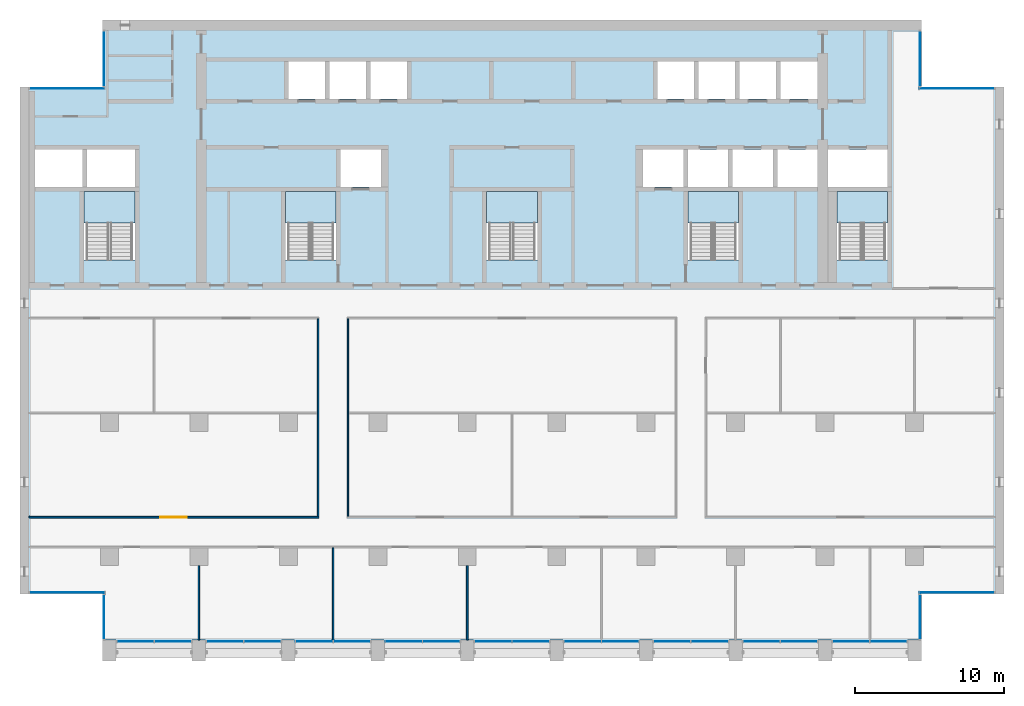
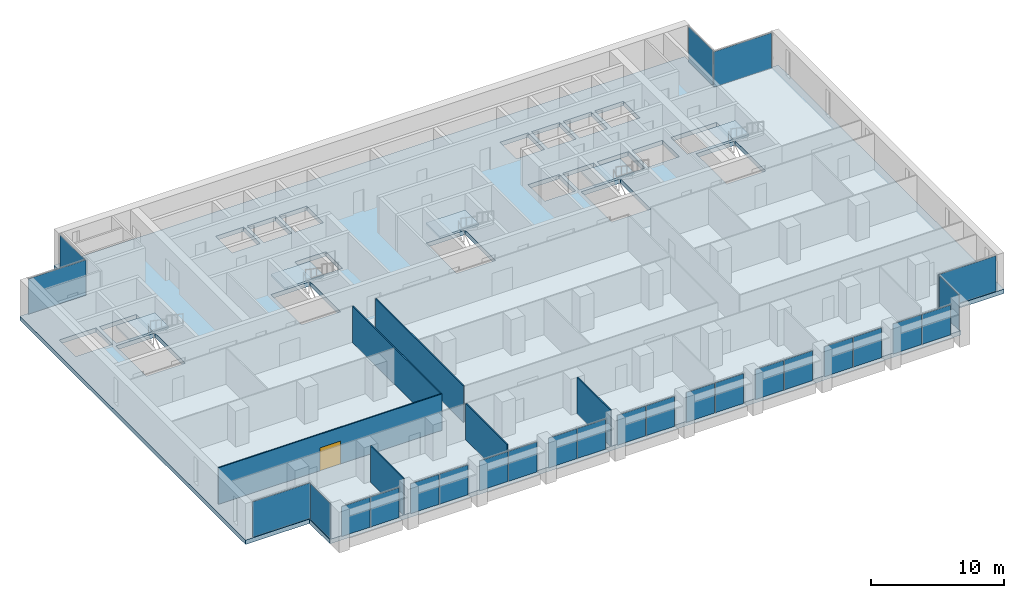
# One storey, part 7 of 17: 26 plates, 6 slabs, 6 walls, 1 door, 1 opening, 22 elements without a shape of their own.
"""IFC4 building model written with IfcOpenShell, lengths in metres."""

from ifc_helpers import new_model, si_unit, direction, frame, frame_2d, origin, origin_2d, place, context, subcontext, project, spatial, polyline, rectangle, outline, extrude, material, layer, layer_set, type_object, element, fill, aggregate, save


model = new_model("IFC4")

# Units and contexts
model_context = context("Model", 3, precision=1e-05, world=origin(), true_north=direction((0.0, 1.0)))
body_context = subcontext(model_context, "Body", "Model", "MODEL_VIEW")
ifc_project = project(units=[si_unit("LENGTHUNIT", "METRE"), si_unit("AREAUNIT", "SQUARE_METRE"), si_unit("VOLUMEUNIT", "CUBIC_METRE"), si_unit("PLANEANGLEUNIT", "RADIAN"), si_unit("MASSUNIT", "GRAM", prefix="KILO")], contexts=[model_context])

# Site, building, storey
site_placement = place(None, origin())
site = spatial("IfcSite", under=ifc_project, at=site_placement, CompositionType="ELEMENT")
building_placement = place(site_placement, origin())
building = spatial("IfcBuilding", under=site, at=building_placement, Name="Calvaro Tower", CompositionType="ELEMENT")
storey_placement = place(building_placement, frame((0.0, 0.0, 170.5)))
storey = spatial("IfcBuildingStorey", under=building, at=storey_placement, Name="L42", CompositionType="ELEMENT", Elevation=170.5)

# Slab
ifc_material_1 = material(Name="Concrete C40/50", Category="concrete")
ifc_layer_1 = layer(ifc_material_1, 0.39990234375)
ifc_layer_set_1 = layer_set([ifc_layer_1], Name="Concrete C40/50")
slab_type_1 = type_object("IfcSlabType", Name="Floor slab 400 C40/50", PredefinedType="FLOOR", material=ifc_layer_set_1)
slab_1_placement = place(storey_placement, frame((0.0, 0.0, -0.39990234375)))
element("IfcSlab", 1, at=slab_1_placement, inside=storey, type_object=slab_type_1, Name="Floor slab", PredefinedType="FLOOR", context=body_context, shape_type="SweptSolid", body=[
    extrude(outline(polyline([(66.449951171875, 7.5), (66.449951171875, 4.39990234375), (11.550048828125, 4.39990234375), (11.550048828125, 7.5), (6.0, 7.5), (6.0, 41.5), (11.550048828125, 41.5), (11.550048828125, 46.0), (66.449951171875, 46.0), (66.449951171875, 41.5), (72.0, 41.5), (72.0, 7.5), (66.449951171875, 7.5)]), holes=[polyline([(10.300048828125, 29.909912109375), (10.300048828125, 34.5), (12.0, 34.5), (13.699951171875, 34.5), (13.699951171875, 29.909912109375), (12.0, 29.909912109375), (10.300048828125, 29.909912109375)]), polyline([(23.800048828125, 29.909912109375), (23.800048828125, 34.5), (25.5, 34.5), (27.199951171875, 34.5), (27.199951171875, 29.909912109375), (25.5, 29.909912109375), (23.800048828125, 29.909912109375)]), polyline([(37.300048828125, 29.909912109375), (37.300048828125, 34.5), (39.0, 34.5), (40.699951171875, 34.5), (40.699951171875, 29.909912109375), (39.0, 29.909912109375), (37.300048828125, 29.909912109375)]), polyline([(50.800048828125, 29.909912109375), (50.800048828125, 34.5), (52.5, 34.5), (54.199951171875, 34.5), (54.199951171875, 29.909912109375), (52.5, 29.909912109375), (50.800048828125, 29.909912109375)]), polyline([(60.800048828125, 29.909912109375), (60.800048828125, 34.5), (62.5, 34.5), (64.199951171875, 34.5), (64.199951171875, 29.909912109375), (62.5, 29.909912109375), (60.800048828125, 29.909912109375)]), polyline([(50.800048828125, 34.800048828125), (53.5, 34.800048828125), (53.5, 37.300048828125), (50.800048828125, 37.300048828125), (50.800048828125, 34.800048828125)]), polyline([(53.800048828125, 34.800048828125), (56.5, 34.800048828125), (56.5, 37.300048828125), (53.800048828125, 37.300048828125), (53.800048828125, 34.800048828125)]), polyline([(56.800048828125, 34.800048828125), (59.5, 34.800048828125), (59.5, 37.300048828125), (56.800048828125, 37.300048828125), (56.800048828125, 34.800048828125)]), polyline([(24.0, 40.699951171875), (26.449951171875, 40.699951171875), (26.449951171875, 43.199951171875), (24.0, 43.199951171875), (24.0, 40.699951171875)]), polyline([(26.75, 40.699951171875), (29.199951171875, 40.699951171875), (29.199951171875, 43.199951171875), (26.75, 43.199951171875), (26.75, 40.699951171875)]), polyline([(29.5, 40.699951171875), (31.949951171875, 40.699951171875), (31.949951171875, 43.199951171875), (29.5, 43.199951171875), (29.5, 40.699951171875)]), polyline([(48.75, 40.699951171875), (51.199951171875, 40.699951171875), (51.199951171875, 43.199951171875), (48.75, 43.199951171875), (48.75, 40.699951171875)]), polyline([(51.5, 40.699951171875), (53.949951171875, 40.699951171875), (53.949951171875, 43.199951171875), (51.5, 43.199951171875), (51.5, 40.699951171875)]), polyline([(54.25, 40.699951171875), (56.699951171875, 40.699951171875), (56.699951171875, 43.199951171875), (54.25, 43.199951171875), (54.25, 40.699951171875)]), polyline([(57.0, 40.699951171875), (59.5, 40.699951171875), (59.5, 43.199951171875), (57.0, 43.199951171875), (57.0, 40.699951171875)]), polyline([(7.0, 34.800048828125), (10.199951171875, 34.800048828125), (10.199951171875, 37.300048828125), (7.0, 37.300048828125), (7.0, 34.800048828125)]), polyline([(10.5, 34.800048828125), (13.699951171875, 34.800048828125), (13.699951171875, 37.300048828125), (10.5, 37.300048828125), (10.5, 34.800048828125)]), polyline([(60.199951171875, 34.800048828125), (64.199951171875, 34.800048828125), (64.199951171875, 37.300048828125), (60.199951171875, 37.300048828125), (60.199951171875, 34.800048828125)]), polyline([(27.5, 34.800048828125), (30.199951171875, 34.800048828125), (30.199951171875, 37.300048828125), (27.5, 37.300048828125), (27.5, 34.800048828125)]), polyline([(47.800048828125, 34.800048828125), (50.5, 34.800048828125), (50.5, 37.300048828125), (47.800048828125, 37.300048828125), (47.800048828125, 34.800048828125)])]), origin(), (0.0, 0.0, 1.0), 0.39990234375),
])

# Curtain wall, plates
ifc_material_2 = material(Name="Anodised aluminium", Category="aluminium")
curtain_wall_type = type_object("IfcCurtainWallType", Name="Office curtain wall, upper zone", PredefinedType="NOTDEFINED", material=ifc_material_2)
curtain_wall_1_placement = place(storey_placement, origin())
curtain_wall_1 = element("IfcCurtainWall", 2, at=curtain_wall_1_placement, inside=storey, type_object=curtain_wall_type, Name="CW3 south curtain wall", PredefinedType="NOTDEFINED")
ifc_material_3 = material(Name="Glass", Category="glass")
ifc_layer_2 = layer(ifc_material_3, 0.035888671875)
ifc_layer_set_2 = layer_set([ifc_layer_2], Name="Glass")
plate_type = type_object("IfcPlateType", Name="Glass panel S3 36", PredefinedType="CURTAIN_PANEL", material=ifc_layer_set_2)
plate_1_placement = place(storey_placement, frame((13.739990234375, 4.31005859375, 0.0), z_axis=(0.0, 0.0, 1.0), x_axis=(1.0, 0.0, 0.0)))
plate_1 = element("IfcPlate", 3, at=plate_1_placement, type_object=plate_type, Name="CW3 glass panel 1.1", PredefinedType="CURTAIN_PANEL", context=body_context, shape_type="SweptSolid", body=[
    extrude(rectangle(XDim=2.4599609375, YDim=0.035888671875, at=origin_2d()), origin(), (0.0, 0.0, 1.0), 2.75),
])
plate_2_placement = place(storey_placement, frame((16.260009765625, 4.31005859375, 0.0), z_axis=(0.0, 0.0, 1.0), x_axis=(1.0, 0.0, 0.0)))
plate_2 = element("IfcPlate", 4, at=plate_2_placement, type_object=plate_type, Name="CW3 glass panel 2.1", PredefinedType="CURTAIN_PANEL", context=body_context, shape_type="SweptSolid", body=[
    extrude(rectangle(XDim=2.4599609375, YDim=0.035888671875, at=origin_2d()), origin(), (0.0, 0.0, 1.0), 2.75),
])
aggregate(curtain_wall_1, [plate_1, plate_2])

curtain_wall_2_placement = place(storey_placement, origin())
curtain_wall_2 = element("IfcCurtainWall", 5, at=curtain_wall_2_placement, inside=storey, type_object=curtain_wall_type, Name="CW3 south curtain wall", PredefinedType="NOTDEFINED")
plate_3_placement = place(storey_placement, frame((19.739990234375, 4.31005859375, 0.0), z_axis=(0.0, 0.0, 1.0), x_axis=(1.0, 0.0, 0.0)))
plate_3 = element("IfcPlate", 6, at=plate_3_placement, type_object=plate_type, Name="CW3 glass panel 1.1", PredefinedType="CURTAIN_PANEL", context=body_context, shape_type="SweptSolid", body=[
    extrude(rectangle(XDim=2.4599609375, YDim=0.035888671875, at=origin_2d()), origin(), (0.0, 0.0, 1.0), 2.75),
])
plate_4_placement = place(storey_placement, frame((22.260009765625, 4.31005859375, 0.0), z_axis=(0.0, 0.0, 1.0), x_axis=(1.0, 0.0, 0.0)))
plate_4 = element("IfcPlate", 7, at=plate_4_placement, type_object=plate_type, Name="CW3 glass panel 2.1", PredefinedType="CURTAIN_PANEL", context=body_context, shape_type="SweptSolid", body=[
    extrude(rectangle(XDim=2.4599609375, YDim=0.035888671875, at=origin_2d()), origin(), (0.0, 0.0, 1.0), 2.75),
])
aggregate(curtain_wall_2, [plate_3, plate_4])

curtain_wall_3_placement = place(storey_placement, origin())
curtain_wall_3 = element("IfcCurtainWall", 8, at=curtain_wall_3_placement, inside=storey, type_object=curtain_wall_type, Name="CW3 south curtain wall", PredefinedType="NOTDEFINED")
plate_5_placement = place(storey_placement, frame((25.739990234375, 4.31005859375, 0.0), z_axis=(0.0, 0.0, 1.0), x_axis=(1.0, 0.0, 0.0)))
plate_5 = element("IfcPlate", 9, at=plate_5_placement, type_object=plate_type, Name="CW3 glass panel 1.1", PredefinedType="CURTAIN_PANEL", context=body_context, shape_type="SweptSolid", body=[
    extrude(rectangle(XDim=2.4599609375, YDim=0.035888671875, at=origin_2d()), origin(), (0.0, 0.0, 1.0), 2.75),
])
plate_6_placement = place(storey_placement, frame((28.260009765625, 4.31005859375, 0.0), z_axis=(0.0, 0.0, 1.0), x_axis=(1.0, 0.0, 0.0)))
plate_6 = element("IfcPlate", 10, at=plate_6_placement, type_object=plate_type, Name="CW3 glass panel 2.1", PredefinedType="CURTAIN_PANEL", context=body_context, shape_type="SweptSolid", body=[
    extrude(rectangle(XDim=2.4599609375, YDim=0.035888671875, at=origin_2d()), origin(), (0.0, 0.0, 1.0), 2.75),
])
aggregate(curtain_wall_3, [plate_5, plate_6])

curtain_wall_4_placement = place(storey_placement, origin())
curtain_wall_4 = element("IfcCurtainWall", 11, at=curtain_wall_4_placement, inside=storey, type_object=curtain_wall_type, Name="CW3 south curtain wall", PredefinedType="NOTDEFINED")
plate_7_placement = place(storey_placement, frame((31.739990234375, 4.31005859375, 0.0), z_axis=(0.0, 0.0, 1.0), x_axis=(1.0, 0.0, 0.0)))
plate_7 = element("IfcPlate", 12, at=plate_7_placement, type_object=plate_type, Name="CW3 glass panel 1.1", PredefinedType="CURTAIN_PANEL", context=body_context, shape_type="SweptSolid", body=[
    extrude(rectangle(XDim=2.4599609375, YDim=0.035888671875, at=origin_2d()), origin(), (0.0, 0.0, 1.0), 2.75),
])
plate_8_placement = place(storey_placement, frame((34.260009765625, 4.31005859375, 0.0), z_axis=(0.0, 0.0, 1.0), x_axis=(1.0, 0.0, 0.0)))
plate_8 = element("IfcPlate", 13, at=plate_8_placement, type_object=plate_type, Name="CW3 glass panel 2.1", PredefinedType="CURTAIN_PANEL", context=body_context, shape_type="SweptSolid", body=[
    extrude(rectangle(XDim=2.4599609375, YDim=0.035888671875, at=origin_2d()), origin(), (0.0, 0.0, 1.0), 2.75),
])
aggregate(curtain_wall_4, [plate_7, plate_8])

curtain_wall_5_placement = place(storey_placement, origin())
curtain_wall_5 = element("IfcCurtainWall", 14, at=curtain_wall_5_placement, inside=storey, type_object=curtain_wall_type, Name="CW3 south curtain wall", PredefinedType="NOTDEFINED")
plate_9_placement = place(storey_placement, frame((37.739990234375, 4.31005859375, 0.0), z_axis=(0.0, 0.0, 1.0), x_axis=(1.0, 0.0, 0.0)))
plate_9 = element("IfcPlate", 15, at=plate_9_placement, type_object=plate_type, Name="CW3 glass panel 1.1", PredefinedType="CURTAIN_PANEL", context=body_context, shape_type="SweptSolid", body=[
    extrude(rectangle(XDim=2.4599609375, YDim=0.035888671875, at=origin_2d()), origin(), (0.0, 0.0, 1.0), 2.75),
])
plate_10_placement = place(storey_placement, frame((40.260009765625, 4.31005859375, 0.0), z_axis=(0.0, 0.0, 1.0), x_axis=(1.0, 0.0, 0.0)))
plate_10 = element("IfcPlate", 16, at=plate_10_placement, type_object=plate_type, Name="CW3 glass panel 2.1", PredefinedType="CURTAIN_PANEL", context=body_context, shape_type="SweptSolid", body=[
    extrude(rectangle(XDim=2.4599609375, YDim=0.035888671875, at=origin_2d()), origin(), (0.0, 0.0, 1.0), 2.75),
])
aggregate(curtain_wall_5, [plate_9, plate_10])

curtain_wall_6_placement = place(storey_placement, origin())
curtain_wall_6 = element("IfcCurtainWall", 17, at=curtain_wall_6_placement, inside=storey, type_object=curtain_wall_type, Name="CW3 south curtain wall", PredefinedType="NOTDEFINED")
plate_11_placement = place(storey_placement, frame((43.739990234375, 4.31005859375, 0.0), z_axis=(0.0, 0.0, 1.0), x_axis=(1.0, 0.0, 0.0)))
plate_11 = element("IfcPlate", 18, at=plate_11_placement, type_object=plate_type, Name="CW3 glass panel 1.1", PredefinedType="CURTAIN_PANEL", context=body_context, shape_type="SweptSolid", body=[
    extrude(rectangle(XDim=2.4599609375, YDim=0.035888671875, at=origin_2d()), origin(), (0.0, 0.0, 1.0), 2.75),
])
plate_12_placement = place(storey_placement, frame((46.260009765625, 4.31005859375, 0.0), z_axis=(0.0, 0.0, 1.0), x_axis=(1.0, 0.0, 0.0)))
plate_12 = element("IfcPlate", 19, at=plate_12_placement, type_object=plate_type, Name="CW3 glass panel 2.1", PredefinedType="CURTAIN_PANEL", context=body_context, shape_type="SweptSolid", body=[
    extrude(rectangle(XDim=2.4599609375, YDim=0.035888671875, at=origin_2d()), origin(), (0.0, 0.0, 1.0), 2.75),
])
aggregate(curtain_wall_6, [plate_11, plate_12])

curtain_wall_7_placement = place(storey_placement, origin())
curtain_wall_7 = element("IfcCurtainWall", 20, at=curtain_wall_7_placement, inside=storey, type_object=curtain_wall_type, Name="CW3 south curtain wall", PredefinedType="NOTDEFINED")
plate_13_placement = place(storey_placement, frame((49.739990234375, 4.31005859375, 0.0), z_axis=(0.0, 0.0, 1.0), x_axis=(1.0, 0.0, 0.0)))
plate_13 = element("IfcPlate", 21, at=plate_13_placement, type_object=plate_type, Name="CW3 glass panel 1.1", PredefinedType="CURTAIN_PANEL", context=body_context, shape_type="SweptSolid", body=[
    extrude(rectangle(XDim=2.4599609375, YDim=0.035888671875, at=origin_2d()), origin(), (0.0, 0.0, 1.0), 2.75),
])
plate_14_placement = place(storey_placement, frame((52.260009765625, 4.31005859375, 0.0), z_axis=(0.0, 0.0, 1.0), x_axis=(1.0, 0.0, 0.0)))
plate_14 = element("IfcPlate", 22, at=plate_14_placement, type_object=plate_type, Name="CW3 glass panel 2.1", PredefinedType="CURTAIN_PANEL", context=body_context, shape_type="SweptSolid", body=[
    extrude(rectangle(XDim=2.4599609375, YDim=0.035888671875, at=origin_2d()), origin(), (0.0, 0.0, 1.0), 2.75),
])
aggregate(curtain_wall_7, [plate_13, plate_14])

curtain_wall_8_placement = place(storey_placement, origin())
curtain_wall_8 = element("IfcCurtainWall", 23, at=curtain_wall_8_placement, inside=storey, type_object=curtain_wall_type, Name="CW3 south curtain wall", PredefinedType="NOTDEFINED")
plate_15_placement = place(storey_placement, frame((55.739990234375, 4.31005859375, 0.0), z_axis=(0.0, 0.0, 1.0), x_axis=(1.0, 0.0, 0.0)))
plate_15 = element("IfcPlate", 24, at=plate_15_placement, type_object=plate_type, Name="CW3 glass panel 1.1", PredefinedType="CURTAIN_PANEL", context=body_context, shape_type="SweptSolid", body=[
    extrude(rectangle(XDim=2.4599609375, YDim=0.035888671875, at=origin_2d()), origin(), (0.0, 0.0, 1.0), 2.75),
])
plate_16_placement = place(storey_placement, frame((58.260009765625, 4.31005859375, 0.0), z_axis=(0.0, 0.0, 1.0), x_axis=(1.0, 0.0, 0.0)))
plate_16 = element("IfcPlate", 25, at=plate_16_placement, type_object=plate_type, Name="CW3 glass panel 2.1", PredefinedType="CURTAIN_PANEL", context=body_context, shape_type="SweptSolid", body=[
    extrude(rectangle(XDim=2.4599609375, YDim=0.035888671875, at=origin_2d()), origin(), (0.0, 0.0, 1.0), 2.75),
])
aggregate(curtain_wall_8, [plate_15, plate_16])

curtain_wall_9_placement = place(storey_placement, origin())
curtain_wall_9 = element("IfcCurtainWall", 26, at=curtain_wall_9_placement, inside=storey, type_object=curtain_wall_type, Name="CW3 south curtain wall", PredefinedType="NOTDEFINED")
plate_17_placement = place(storey_placement, frame((61.739990234375, 4.31005859375, 0.0), z_axis=(0.0, 0.0, 1.0), x_axis=(1.0, 0.0, 0.0)))
plate_17 = element("IfcPlate", 27, at=plate_17_placement, type_object=plate_type, Name="CW3 glass panel 1.1", PredefinedType="CURTAIN_PANEL", context=body_context, shape_type="SweptSolid", body=[
    extrude(rectangle(XDim=2.4599609375, YDim=0.035888671875, at=origin_2d()), origin(), (0.0, 0.0, 1.0), 2.75),
])
plate_18_placement = place(storey_placement, frame((64.260009765625, 4.31005859375, 0.0), z_axis=(0.0, 0.0, 1.0), x_axis=(1.0, 0.0, 0.0)))
plate_18 = element("IfcPlate", 28, at=plate_18_placement, type_object=plate_type, Name="CW3 glass panel 2.1", PredefinedType="CURTAIN_PANEL", context=body_context, shape_type="SweptSolid", body=[
    extrude(rectangle(XDim=2.4599609375, YDim=0.035888671875, at=origin_2d()), origin(), (0.0, 0.0, 1.0), 2.75),
])
aggregate(curtain_wall_9, [plate_17, plate_18])

# Curtain wall, plate
curtain_wall_10_placement = place(storey_placement, origin())
curtain_wall_10 = element("IfcCurtainWall", 29, at=curtain_wall_10_placement, inside=storey, type_object=curtain_wall_type, Name="CW3 corner curtain wall", PredefinedType="NOTDEFINED")
plate_19_placement = place(storey_placement, frame((11.639892578125, 5.949951171875, 0.0), z_axis=(0.0, 0.0, 1.0), x_axis=(0.0, 1.0, 0.0)))
plate_19 = element("IfcPlate", 30, at=plate_19_placement, type_object=plate_type, Name="CW3 glass panel 1.1", PredefinedType="CURTAIN_PANEL", context=body_context, shape_type="SweptSolid", body=[
    extrude(rectangle(XDim=2.97998046875, YDim=0.035888671875, at=origin_2d()), origin(), (0.0, 0.0, 1.0), 3.25),
])
aggregate(curtain_wall_10, [plate_19])

curtain_wall_11_placement = place(storey_placement, origin())
curtain_wall_11 = element("IfcCurtainWall", 31, at=curtain_wall_11_placement, inside=storey, type_object=curtain_wall_type, Name="CW3 corner curtain wall", PredefinedType="NOTDEFINED")
plate_20_placement = place(storey_placement, frame((9.1650390625, 7.590087890625, 0.0), z_axis=(0.0, 0.0, 1.0), x_axis=(1.0, 0.0, 0.0)))
plate_20 = element("IfcPlate", 32, at=plate_20_placement, type_object=plate_type, Name="CW3 glass panel 1.1", PredefinedType="CURTAIN_PANEL", context=body_context, shape_type="SweptSolid", body=[
    extrude(rectangle(XDim=5.010009765625, YDim=0.035888671875, at=origin_2d()), origin(), (0.0, 0.0, 1.0), 3.25),
])
aggregate(curtain_wall_11, [plate_20])

curtain_wall_12_placement = place(storey_placement, origin())
curtain_wall_12 = element("IfcCurtainWall", 33, at=curtain_wall_12_placement, inside=storey, type_object=curtain_wall_type, Name="CW3 corner curtain wall", PredefinedType="NOTDEFINED")
plate_21_placement = place(storey_placement, frame((11.639892578125, 43.39990234375, 0.0), z_axis=(0.0, 0.0, 1.0), x_axis=(0.0, 1.0, 0.0)))
plate_21 = element("IfcPlate", 34, at=plate_21_placement, type_object=plate_type, Name="CW3 glass panel 1.1", PredefinedType="CURTAIN_PANEL", context=body_context, shape_type="SweptSolid", body=[
    extrude(rectangle(XDim=3.679931640625, YDim=0.035888671875, at=origin_2d()), origin(), (0.0, 0.0, 1.0), 3.25),
])
aggregate(curtain_wall_12, [plate_21])

curtain_wall_13_placement = place(storey_placement, origin())
curtain_wall_13 = element("IfcCurtainWall", 35, at=curtain_wall_13_placement, inside=storey, type_object=curtain_wall_type, Name="CW3 corner curtain wall", PredefinedType="NOTDEFINED")
plate_22_placement = place(storey_placement, frame((9.1650390625, 41.409912109375, 0.0), z_axis=(0.0, 0.0, 1.0), x_axis=(1.0, 0.0, 0.0)))
plate_22 = element("IfcPlate", 36, at=plate_22_placement, type_object=plate_type, Name="CW3 glass panel 1.1", PredefinedType="CURTAIN_PANEL", context=body_context, shape_type="SweptSolid", body=[
    extrude(rectangle(XDim=5.010009765625, YDim=0.035888671875, at=origin_2d()), origin(), (0.0, 0.0, 1.0), 3.25),
])
aggregate(curtain_wall_13, [plate_22])

curtain_wall_14_placement = place(storey_placement, origin())
curtain_wall_14 = element("IfcCurtainWall", 37, at=curtain_wall_14_placement, inside=storey, type_object=curtain_wall_type, Name="CW3 corner curtain wall", PredefinedType="NOTDEFINED")
plate_23_placement = place(storey_placement, frame((66.360107421875, 5.949951171875, 0.0), z_axis=(0.0, 0.0, 1.0), x_axis=(0.0, 1.0, 0.0)))
plate_23 = element("IfcPlate", 38, at=plate_23_placement, type_object=plate_type, Name="CW3 glass panel 1.1", PredefinedType="CURTAIN_PANEL", context=body_context, shape_type="SweptSolid", body=[
    extrude(rectangle(XDim=2.97998046875, YDim=0.035888671875, at=origin_2d()), origin(), (0.0, 0.0, 1.0), 3.25),
])
aggregate(curtain_wall_14, [plate_23])

curtain_wall_15_placement = place(storey_placement, origin())
curtain_wall_15 = element("IfcCurtainWall", 39, at=curtain_wall_15_placement, inside=storey, type_object=curtain_wall_type, Name="CW3 corner curtain wall", PredefinedType="NOTDEFINED")
plate_24_placement = place(storey_placement, frame((68.8349609375, 7.590087890625, 0.0), z_axis=(0.0, 0.0, 1.0), x_axis=(1.0, 0.0, 0.0)))
plate_24 = element("IfcPlate", 40, at=plate_24_placement, type_object=plate_type, Name="CW3 glass panel 1.1", PredefinedType="CURTAIN_PANEL", context=body_context, shape_type="SweptSolid", body=[
    extrude(rectangle(XDim=5.010009765625, YDim=0.035888671875, at=origin_2d()), origin(), (0.0, 0.0, 1.0), 3.25),
])
aggregate(curtain_wall_15, [plate_24])

curtain_wall_16_placement = place(storey_placement, origin())
curtain_wall_16 = element("IfcCurtainWall", 41, at=curtain_wall_16_placement, inside=storey, type_object=curtain_wall_type, Name="CW3 corner curtain wall", PredefinedType="NOTDEFINED")
plate_25_placement = place(storey_placement, frame((66.360107421875, 43.39990234375, 0.0), z_axis=(0.0, 0.0, 1.0), x_axis=(0.0, 1.0, 0.0)))
plate_25 = element("IfcPlate", 42, at=plate_25_placement, type_object=plate_type, Name="CW3 glass panel 1.1", PredefinedType="CURTAIN_PANEL", context=body_context, shape_type="SweptSolid", body=[
    extrude(rectangle(XDim=3.679931640625, YDim=0.035888671875, at=origin_2d()), origin(), (0.0, 0.0, 1.0), 3.25),
])
aggregate(curtain_wall_16, [plate_25])

curtain_wall_17_placement = place(storey_placement, origin())
curtain_wall_17 = element("IfcCurtainWall", 43, at=curtain_wall_17_placement, inside=storey, type_object=curtain_wall_type, Name="CW3 corner curtain wall", PredefinedType="NOTDEFINED")
plate_26_placement = place(storey_placement, frame((68.8349609375, 41.409912109375, 0.0), z_axis=(0.0, 0.0, 1.0), x_axis=(1.0, 0.0, 0.0)))
plate_26 = element("IfcPlate", 44, at=plate_26_placement, type_object=plate_type, Name="CW3 glass panel 1.1", PredefinedType="CURTAIN_PANEL", context=body_context, shape_type="SweptSolid", body=[
    extrude(rectangle(XDim=5.010009765625, YDim=0.035888671875, at=origin_2d()), origin(), (0.0, 0.0, 1.0), 3.25),
])
aggregate(curtain_wall_17, [plate_26])

# Stair, slab
ifc_material_4 = material(Name="Concrete C40/50", Category="concrete")
stair_type = type_object("IfcStairType", Name="Exit stair 1400 2 flights", PredefinedType="HALF_TURN_STAIR", material=ifc_material_4)
stair_1_placement = place(storey_placement, origin())
stair_1 = element("IfcStair", 45, at=stair_1_placement, inside=storey, type_object=stair_type, Name="Exit stair S1", PredefinedType="HALF_TURN_STAIR")
ifc_material_5 = material(Name="Concrete C40/50", Category="concrete")
ifc_layer_3 = layer(ifc_material_5, 0.199951171875)
ifc_layer_set_3 = layer_set([ifc_layer_3], Name="Concrete C40/50")
slab_type_2 = type_object("IfcSlabType", Name="Stair landing", PredefinedType="LANDING", material=ifc_layer_set_3)
slab_2_placement = place(storey_placement, frame((0.0, 0.0, 1.675048828125)))
slab_2 = element("IfcSlab", 46, at=slab_2_placement, type_object=slab_type_2, Name="Exit stair 1, landing 1", PredefinedType="LANDING", context=body_context, shape_type="SweptSolid", body=[
    extrude(outline(polyline([(11.89990234375, 32.389892578125), (10.5, 32.389892578125), (10.5, 32.39990234375), (10.300048828125, 32.39990234375), (10.300048828125, 34.5), (10.5, 34.5), (11.89990234375, 34.5), (12.10009765625, 34.5), (13.5, 34.5), (13.699951171875, 34.5), (13.699951171875, 32.39990234375), (13.5, 32.39990234375), (13.5, 32.389892578125), (12.10009765625, 32.389892578125), (12.10009765625, 32.39990234375), (11.89990234375, 32.39990234375), (11.89990234375, 32.389892578125)])), origin(), (0.0, 0.0, 1.0), 0.199951171875),
])
aggregate(stair_1, [slab_2])

stair_2_placement = place(storey_placement, origin())
stair_2 = element("IfcStair", 47, at=stair_2_placement, inside=storey, type_object=stair_type, Name="Exit stair S2", PredefinedType="HALF_TURN_STAIR")
slab_3_placement = place(storey_placement, frame((0.0, 0.0, 1.675048828125)))
slab_3 = element("IfcSlab", 48, at=slab_3_placement, type_object=slab_type_2, Name="Exit stair 2, landing 1", PredefinedType="LANDING", context=body_context, shape_type="SweptSolid", body=[
    extrude(outline(polyline([(25.39990234375, 32.389892578125), (24.0, 32.389892578125), (24.0, 32.39990234375), (23.800048828125, 32.39990234375), (23.800048828125, 34.5), (24.0, 34.5), (25.39990234375, 34.5), (25.60009765625, 34.5), (27.0, 34.5), (27.199951171875, 34.5), (27.199951171875, 32.39990234375), (27.0, 32.39990234375), (27.0, 32.389892578125), (25.60009765625, 32.389892578125), (25.60009765625, 32.39990234375), (25.39990234375, 32.39990234375), (25.39990234375, 32.389892578125)])), origin(), (0.0, 0.0, 1.0), 0.199951171875),
])
aggregate(stair_2, [slab_3])

stair_3_placement = place(storey_placement, origin())
stair_3 = element("IfcStair", 49, at=stair_3_placement, inside=storey, type_object=stair_type, Name="Exit stair S3", PredefinedType="HALF_TURN_STAIR")
slab_4_placement = place(storey_placement, frame((0.0, 0.0, 1.675048828125)))
slab_4 = element("IfcSlab", 50, at=slab_4_placement, type_object=slab_type_2, Name="Exit stair 3, landing 1", PredefinedType="LANDING", context=body_context, shape_type="SweptSolid", body=[
    extrude(outline(polyline([(38.89990234375, 32.389892578125), (37.5, 32.389892578125), (37.5, 32.39990234375), (37.300048828125, 32.39990234375), (37.300048828125, 34.5), (37.5, 34.5), (38.89990234375, 34.5), (39.10009765625, 34.5), (40.5, 34.5), (40.699951171875, 34.5), (40.699951171875, 32.39990234375), (40.5, 32.39990234375), (40.5, 32.389892578125), (39.10009765625, 32.389892578125), (39.10009765625, 32.39990234375), (38.89990234375, 32.39990234375), (38.89990234375, 32.389892578125)])), origin(), (0.0, 0.0, 1.0), 0.199951171875),
])
aggregate(stair_3, [slab_4])

stair_4_placement = place(storey_placement, origin())
stair_4 = element("IfcStair", 51, at=stair_4_placement, inside=storey, type_object=stair_type, Name="Exit stair S4", PredefinedType="HALF_TURN_STAIR")
slab_5_placement = place(storey_placement, frame((0.0, 0.0, 1.675048828125)))
slab_5 = element("IfcSlab", 52, at=slab_5_placement, type_object=slab_type_2, Name="Exit stair 4, landing 1", PredefinedType="LANDING", context=body_context, shape_type="SweptSolid", body=[
    extrude(outline(polyline([(52.39990234375, 32.389892578125), (51.0, 32.389892578125), (51.0, 32.39990234375), (50.800048828125, 32.39990234375), (50.800048828125, 34.5), (51.0, 34.5), (52.39990234375, 34.5), (52.60009765625, 34.5), (54.0, 34.5), (54.199951171875, 34.5), (54.199951171875, 32.39990234375), (54.0, 32.39990234375), (54.0, 32.389892578125), (52.60009765625, 32.389892578125), (52.60009765625, 32.39990234375), (52.39990234375, 32.39990234375), (52.39990234375, 32.389892578125)])), origin(), (0.0, 0.0, 1.0), 0.199951171875),
])
aggregate(stair_4, [slab_5])

stair_5_placement = place(storey_placement, origin())
stair_5 = element("IfcStair", 53, at=stair_5_placement, inside=storey, type_object=stair_type, Name="Exit stair S5", PredefinedType="HALF_TURN_STAIR")
slab_6_placement = place(storey_placement, frame((0.0, 0.0, 1.675048828125)))
slab_6 = element("IfcSlab", 54, at=slab_6_placement, type_object=slab_type_2, Name="Exit stair 5, landing 1", PredefinedType="LANDING", context=body_context, shape_type="SweptSolid", body=[
    extrude(outline(polyline([(62.39990234375, 32.389892578125), (61.0, 32.389892578125), (61.0, 32.39990234375), (60.800048828125, 32.39990234375), (60.800048828125, 34.5), (61.0, 34.5), (62.39990234375, 34.5), (62.60009765625, 34.5), (64.0, 34.5), (64.199951171875, 34.5), (64.199951171875, 32.39990234375), (64.0, 32.39990234375), (64.0, 32.389892578125), (62.60009765625, 32.389892578125), (62.60009765625, 32.39990234375), (62.39990234375, 32.39990234375), (62.39990234375, 32.389892578125)])), origin(), (0.0, 0.0, 1.0), 0.199951171875),
])
aggregate(stair_5, [slab_6])

# Wall, opening, door
ifc_material_6 = material(Name="Plasterboard on steel studs", Category="steel")
ifc_layer_4 = layer(ifc_material_6, 0.10009765625)
ifc_layer_set_4 = layer_set([ifc_layer_4], Name="Plasterboard on steel studs")
wall_type = type_object("IfcWallType", Name="Partition 100", PredefinedType="PARTITIONING", material=ifc_layer_set_4)
wall_1_placement = place(storey_placement, frame((6.60009765625, 12.64990234375, 0.0), z_axis=(0.0, 0.0, 1.0), x_axis=(1.0, 0.0, 0.0)))
wall_1 = element("IfcWall", 55, at=wall_1_placement, inside=storey, type_object=wall_type, Name="Partition T25.W002", PredefinedType="PARTITIONING", context=body_context, shape_type="SweptSolid", body=[
    extrude(rectangle(XDim=19.449951171875, YDim=0.10009765625, at=frame_2d((9.72509765625, 0.0))), origin(), (0.0, 0.0, 1.0), 3.35009765625),
])
opening_placement = place(wall_1_placement, frame((8.800048828125, 0.0, 0.0)))
opening = element("IfcOpeningElement", 56, at=opening_placement, cuts=wall_1, Name="Opening T25.008", PredefinedType="OPENING", context=body_context, shape_type="SweptSolid", body=[
    extrude(rectangle(XDim=1.800048828125, YDim=2.10009765625, at=frame_2d((0.89990234375, 1.050048828125))), frame((0.0, 0.06005859375, 0.0), z_axis=(0.0, -1.0, 0.0), x_axis=(1.0, 0.0, 0.0)), (0.0, 0.0, 1.0), 0.1201171875),
])
ifc_material_7 = material(Name="Timber", Category="wood")
door_type = type_object("IfcDoorType", Name="Internal double door 1800 x 2100", OperationType="DOUBLE_DOOR_SINGLE_SWING", PredefinedType="DOOR", material=ifc_material_7)
door_placement = place(opening_placement, origin())
door = element("IfcDoor", 57, at=door_placement, inside=storey, type_object=door_type, Name="Door T25.008", OperationType="DOUBLE_DOOR_SINGLE_SWING", OverallHeight=2.10009765625, OverallWidth=1.800048828125, PredefinedType="DOOR", context=body_context, shape_type="SweptSolid", body=[
    extrude(rectangle(XDim=1.800048828125, YDim=2.10009765625, at=frame_2d((0.89990234375, 1.050048828125))), frame((0.0, 0.02490234375, 0.0), z_axis=(0.0, -1.0, 0.0), x_axis=(1.0, 0.0, 0.0)), (0.0, 0.0, 1.0), 0.050048828125),
])
fill(opening, door)

# Walls
wall_2_placement = place(storey_placement, frame((18.0, 4.39990234375, 0.0), z_axis=(0.0, 0.0, 1.0), x_axis=(0.0, 1.0, 0.0)))
element("IfcWall", 58, at=wall_2_placement, inside=storey, type_object=wall_type, Name="Partition T25.W013", PredefinedType="PARTITIONING", context=body_context, shape_type="SweptSolid", body=[
    extrude(rectangle(XDim=5.0, YDim=0.10009765625, at=frame_2d((2.5, 0.0))), origin(), (0.0, 0.0, 1.0), 3.35009765625),
])
wall_3_placement = place(storey_placement, frame((26.0, 12.699951171875, 0.0), z_axis=(0.0, 0.0, 1.0), x_axis=(0.0, 1.0, 0.0)))
element("IfcWall", 59, at=wall_3_placement, inside=storey, type_object=wall_type, Name="Partition T25.W014", PredefinedType="PARTITIONING", context=body_context, shape_type="SweptSolid", body=[
    extrude(rectangle(XDim=13.25, YDim=0.10009765625, at=frame_2d((6.625, 0.0))), origin(), (0.0, 0.0, 1.0), 3.35009765625),
])
wall_4_placement = place(storey_placement, frame((27.0, 4.39990234375, 0.0), z_axis=(0.0, 0.0, 1.0), x_axis=(0.0, 1.0, 0.0)))
element("IfcWall", 60, at=wall_4_placement, inside=storey, type_object=wall_type, Name="Partition T25.W015", PredefinedType="PARTITIONING", context=body_context, shape_type="SweptSolid", body=[
    extrude(rectangle(XDim=6.2001953125, YDim=0.10009765625, at=frame_2d((3.10009765625, 0.0))), origin(), (0.0, 0.0, 1.0), 3.35009765625),
])
wall_5_placement = place(storey_placement, frame((28.0, 12.699951171875, 0.0), z_axis=(0.0, 0.0, 1.0), x_axis=(0.0, 1.0, 0.0)))
element("IfcWall", 61, at=wall_5_placement, inside=storey, type_object=wall_type, Name="Partition T25.W016", PredefinedType="PARTITIONING", context=body_context, shape_type="SweptSolid", body=[
    extrude(rectangle(XDim=13.25, YDim=0.10009765625, at=frame_2d((6.625, 0.0))), origin(), (0.0, 0.0, 1.0), 3.35009765625),
])
wall_6_placement = place(storey_placement, frame((36.0, 4.39990234375, 0.0), z_axis=(0.0, 0.0, 1.0), x_axis=(0.0, 1.0, 0.0)))
element("IfcWall", 62, at=wall_6_placement, inside=storey, type_object=wall_type, Name="Partition T25.W017", PredefinedType="PARTITIONING", context=body_context, shape_type="SweptSolid", body=[
    extrude(rectangle(XDim=5.0, YDim=0.10009765625, at=frame_2d((2.5, 0.0))), origin(), (0.0, 0.0, 1.0), 3.35009765625),
])

save(model, "model.ifc")
